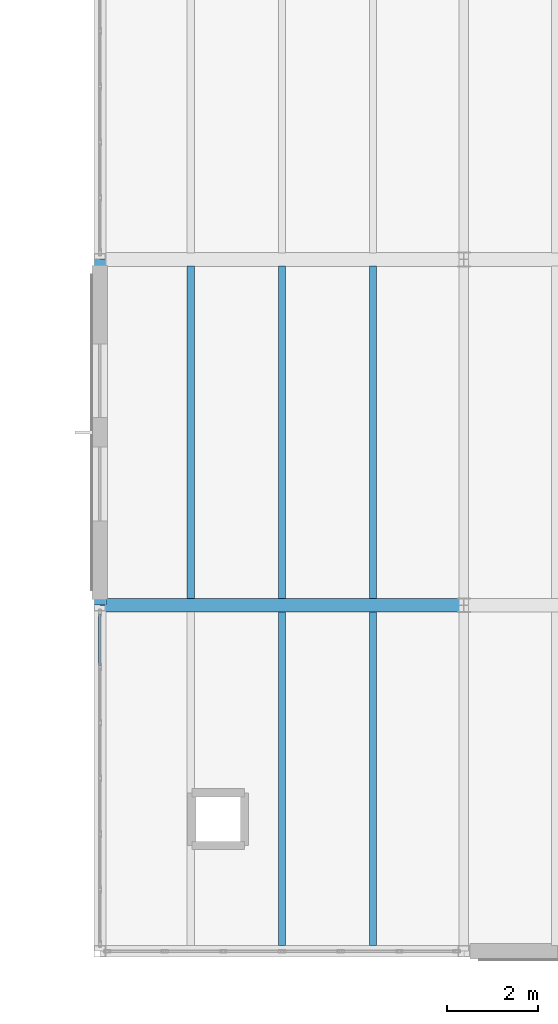
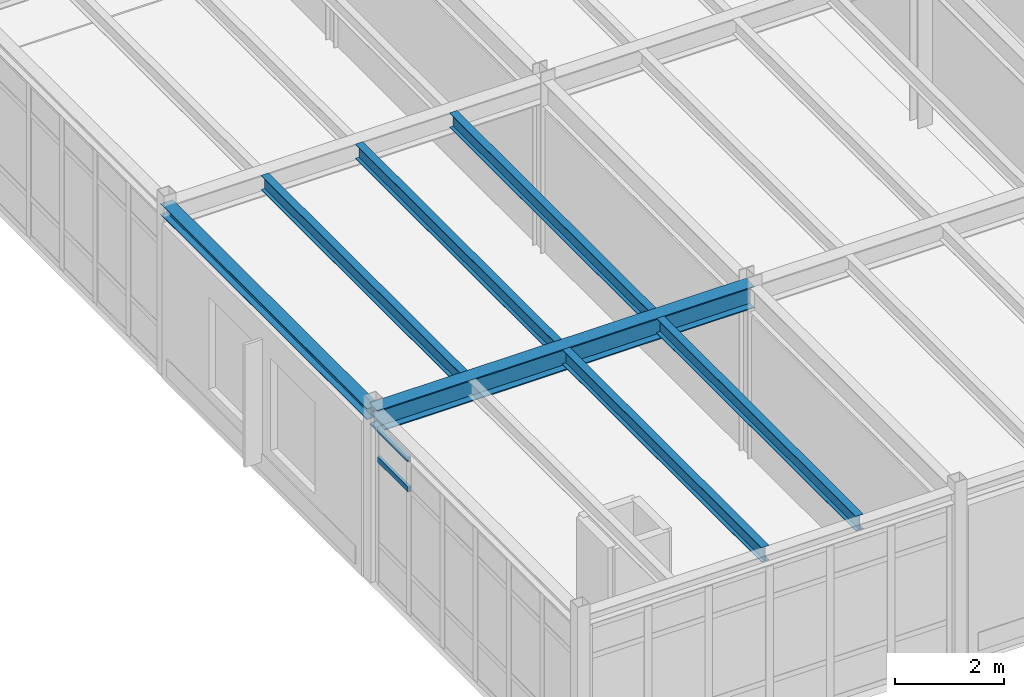
# One storey, part 110 of 189: 7 beams, 2 members, 1 element without a shape of its own.
"""IFC4 building model written with IfcOpenShell, lengths in metres."""

from ifc_helpers import new_model, si_unit, direction, frame, origin, origin_2d, place, context, subcontext, project, spatial, hollow_rectangle, i_section, extrude, material, layer, layer_set, material_profile, profile_set, type_object, element, aggregate, save


model = new_model("IFC4")

# Units and contexts
model_context = context("Model", 3, precision=1e-05, world=origin(), true_north=direction((0.0, 1.0)))
body_context = subcontext(model_context, "Body", "Model", "MODEL_VIEW")
ifc_project = project(units=[si_unit("LENGTHUNIT", "METRE"), si_unit("AREAUNIT", "SQUARE_METRE"), si_unit("VOLUMEUNIT", "CUBIC_METRE"), si_unit("PLANEANGLEUNIT", "RADIAN"), si_unit("MASSUNIT", "GRAM", prefix="KILO")], contexts=[model_context])

# Site, building, storey
site_placement = place(None, origin())
site = spatial("IfcSite", under=ifc_project, at=site_placement, CompositionType="ELEMENT")
building_placement = place(site_placement, origin())
building = spatial("IfcBuilding", under=site, at=building_placement, Name="Montecoro Central Library", CompositionType="ELEMENT")
storey_placement = place(building_placement, frame((0.0, 0.0, 9.179931640625)))
storey = spatial("IfcBuildingStorey", under=building, at=storey_placement, Name="L02", CompositionType="ELEMENT", Elevation=9.179931640625)

# Beams
ifc_material_1 = material(Name="Steel S355J2", Category="steel")
ifc_material_profile_1 = material_profile(ifc_material_1, i_section(OverallWidth=0.300048828125, OverallDepth=0.489990234375, WebThickness=0.011962890625, FlangeThickness=0.02294921875, at=origin_2d()), Name="HEA 500")
ifc_profile_set_1 = profile_set([ifc_material_profile_1], Name="Steel S355J2")
beam_type_1 = type_object("IfcBeamType", Name="BM-G-HEA500", PredefinedType="USERDEFINED", material=ifc_profile_set_1)
beam_1_placement = place(storey_placement, frame((141.0048828125, 12.60009765625, 3.580078125), z_axis=(1.0, 0.0, 0.0), x_axis=(0.0, 1.0, 0.0)))
element("IfcBeam", 1, at=beam_1_placement, inside=storey, type_object=beam_type_1, Name="V6-L02-BX-1819-B", ObjectType="GIRDER", PredefinedType="USERDEFINED", context=body_context, shape_type="SweptSolid", body=[
    extrude(i_section(OverallWidth=0.300048828125, OverallDepth=0.489990234375, WebThickness=0.011962890625, FlangeThickness=0.02294921875, at=origin_2d()), origin(), (0.0, 0.0, 1.0), 7.990234375),
])
ifc_material_2 = material(Name="Steel S355", Category="steel")
ifc_material_profile_2 = material_profile(ifc_material_2, i_section(OverallWidth=0.159912109375, OverallDepth=0.330078125, WebThickness=0.007568359375, FlangeThickness=0.011474609375, at=origin_2d()), Name="IPE 330")
ifc_profile_set_2 = profile_set([ifc_material_profile_2], Name="Steel S355")
beam_type_2 = type_object("IfcBeamType", Name="BM-J-IPE330", PredefinedType="JOIST", material=ifc_profile_set_2)
for number, where, z_axis, x_axis, name in (
    (2, (145.0, 5.126953125, 3.66015625), (0.0, 1.0, 0.0), (-1.0, 0.0, 0.0), "V6-L02-JS-1819-AB-2"),
    (3, (147.0, 5.126953125, 3.66015625), (0.0, 1.0, 0.0), (-1.0, 0.0, 0.0), "V6-L02-JS-1819-AB-3"),
):
    element("IfcBeam", number, at=place(storey_placement, frame(where, z_axis=z_axis, x_axis=x_axis)), inside=storey, type_object=beam_type_2, Name=name, PredefinedType="JOIST", context=body_context, shape_type="SweptSolid", body=[
        extrude(i_section(OverallWidth=0.159912109375, OverallDepth=0.330078125, WebThickness=0.007568359375, FlangeThickness=0.011474609375, at=origin_2d()), origin(), (0.0, 0.0, 1.0), 7.325927734375),
    ])
for number, where, z_axis, x_axis, name in (
    (4, (143.0, 12.7470703125, 3.66015625), (0.0, 1.0, 0.0), (-1.0, 0.0, 0.0), "V6-L02-JS-1819-BC-1"),
    (5, (145.0, 12.7470703125, 3.66015625), (0.0, 1.0, 0.0), (-1.0, 0.0, 0.0), "V6-L02-JS-1819-BC-2"),
    (6, (147.0, 12.7470703125, 3.66015625), (0.0, 1.0, 0.0), (-1.0, 0.0, 0.0), "V6-L02-JS-1819-BC-3"),
):
    element("IfcBeam", number, at=place(storey_placement, frame(where, z_axis=z_axis, x_axis=x_axis)), inside=storey, type_object=beam_type_2, Name=name, PredefinedType="JOIST", context=body_context, shape_type="SweptSolid", body=[
        extrude(i_section(OverallWidth=0.159912109375, OverallDepth=0.330078125, WebThickness=0.007568359375, FlangeThickness=0.011474609375, at=origin_2d()), origin(), (0.0, 0.0, 1.0), 7.305908203125),
    ])
ifc_material_profile_3 = material_profile(ifc_material_2, i_section(OverallWidth=0.260009765625, OverallDepth=0.25, WebThickness=0.007568359375, FlangeThickness=0.012451171875, at=origin_2d()), Name="HEA 260")
ifc_profile_set_3 = profile_set([ifc_material_profile_3], Name="Steel S355")
beam_type_3 = type_object("IfcBeamType", Name="BM-SP-HEA260", PredefinedType="SPANDREL", material=ifc_profile_set_3)
beam_2_placement = place(storey_placement, frame((141.0, 12.60498046875, 3.699951171875), z_axis=(0.0, 1.0, 0.0), x_axis=(-1.0, 0.0, 0.0)))
element("IfcBeam", 7, at=beam_2_placement, inside=storey, type_object=beam_type_3, Name="V6-L02-BY-18-BC", PredefinedType="SPANDREL", context=body_context, shape_type="SweptSolid", body=[
    extrude(i_section(OverallWidth=0.260009765625, OverallDepth=0.25, WebThickness=0.007568359375, FlangeThickness=0.012451171875, at=origin_2d()), origin(), (0.0, 0.0, 1.0), 7.590087890625),
])

# Curtain wall, members
ifc_material_3 = material(Name="Bronze-anodised aluminium and low-E glazing", Category="aluminium")
ifc_layer = layer(ifc_material_3, 0.159912109375)
ifc_layer_set = layer_set([ifc_layer], Name="Bronze-anodised aluminium and low-E glazing")
curtain_wall_type = type_object("IfcCurtainWallType", Name="CWT-067", PredefinedType="NOTDEFINED", material=ifc_layer_set)
curtain_wall_placement = place(storey_placement, origin())
curtain_wall = element("IfcCurtainWall", 8, at=curtain_wall_placement, inside=storey, type_object=curtain_wall_type, Name="V6-L02-CW-W0", PredefinedType="NOTDEFINED")
ifc_material_4 = material(Name="Bronze-anodised aluminium", Category="aluminium")
ifc_material_profile_4 = material_profile(ifc_material_4, hollow_rectangle(XDim=0.06005859375, YDim=0.1201171875, WallThickness=0.00390625, at=origin_2d()), Name="CWT 120x60x4.0")
ifc_profile_set_4 = profile_set([ifc_material_profile_4], Name="Bronze-anodised aluminium")
member_type = type_object("IfcMemberType", Name="CWT-BRZ-60", PredefinedType="USERDEFINED", material=ifc_profile_set_4)
member_1_placement = place(storey_placement, frame((141.0, 12.406982421875, 2.780029296875), z_axis=(0.0, -1.0, 0.0), x_axis=(1.0, 0.0, 0.0)))
member_1 = element("IfcMember", 9, at=member_1_placement, type_object=member_type, Name="CW-067 transom 1.3", ObjectType="TRANSOM", PredefinedType="USERDEFINED", context=body_context, shape_type="SweptSolid", body=[
    extrude(hollow_rectangle(XDim=0.06005859375, YDim=0.1201171875, WallThickness=0.00390625, at=origin_2d()), origin(), (0.0, 0.0, 1.0), 1.13232421875),
])
member_2_placement = place(storey_placement, frame((141.0, 12.406982421875, 3.449951171875), z_axis=(0.0, -1.0, 0.0), x_axis=(1.0, 0.0, 0.0)))
member_2 = element("IfcMember", 10, at=member_2_placement, type_object=member_type, Name="CW-067 transom 1.4", ObjectType="TRANSOM", PredefinedType="USERDEFINED", context=body_context, shape_type="SweptSolid", body=[
    extrude(hollow_rectangle(XDim=0.06005859375, YDim=0.1201171875, WallThickness=0.00390625, at=origin_2d()), origin(), (0.0, 0.0, 1.0), 1.13232421875),
])
aggregate(curtain_wall, [member_1, member_2])

save(model, "model.ifc")
